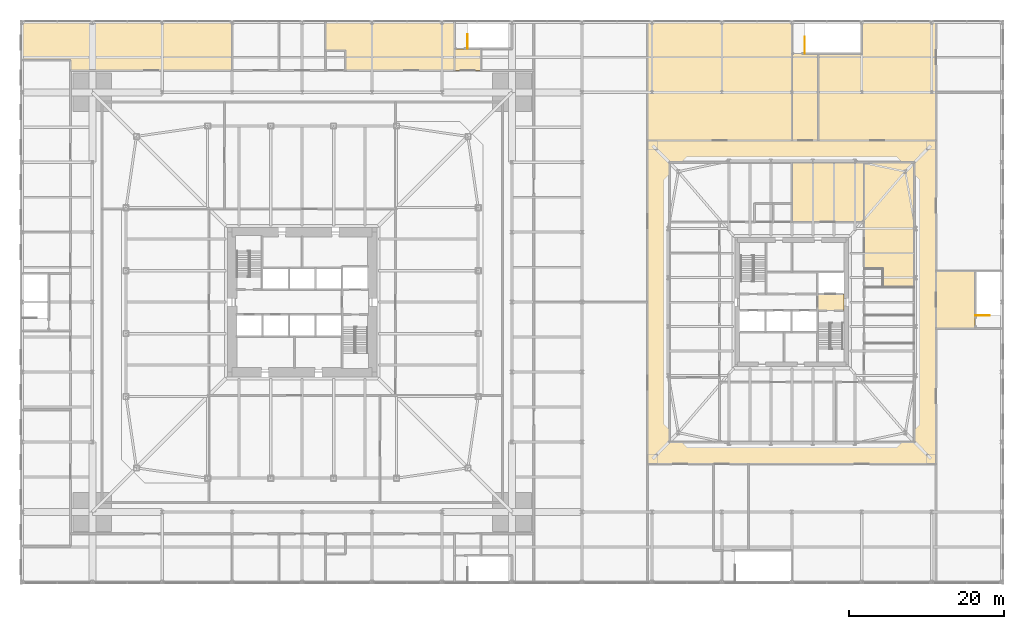
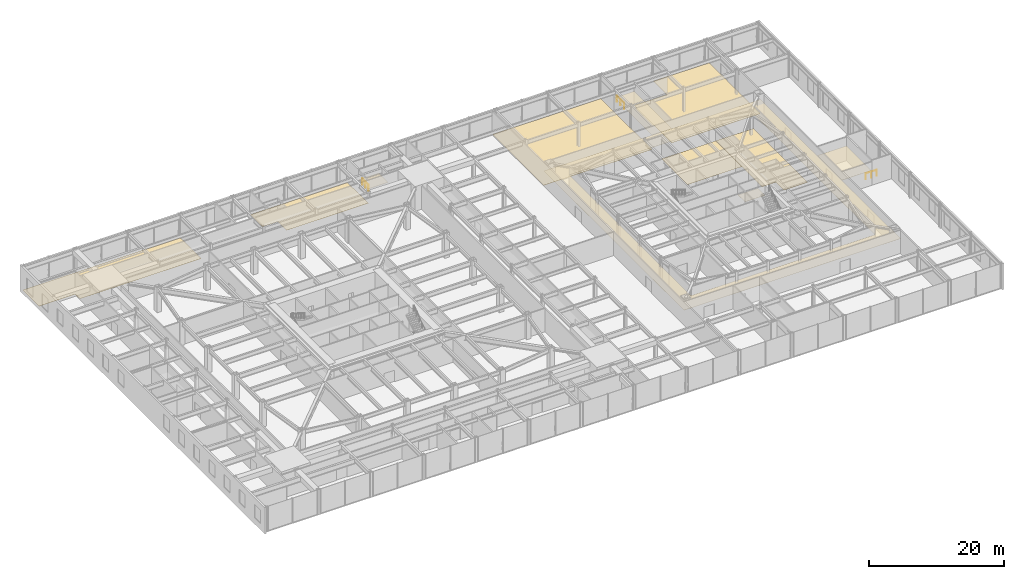
# One storey, part 30 of 30: 11 coverings, 3 railings.
"""IFC4 building model written with IfcOpenShell, lengths in metres."""

from ifc_helpers import new_model, si_unit, direction, frame, origin, origin_2d, place, context, subcontext, project, spatial, polyline, circle, outline, extrude, material, layer, layer_set, constituent, constituent_set, type_object, element, save


model = new_model("IFC4")

# Units and contexts
model_context = context("Model", 3, precision=1e-05, world=origin(), true_north=direction((0.0, 1.0)))
body_context = subcontext(model_context, "Body", "Model", "MODEL_VIEW")
ifc_project = project(units=[si_unit("LENGTHUNIT", "METRE"), si_unit("AREAUNIT", "SQUARE_METRE"), si_unit("VOLUMEUNIT", "CUBIC_METRE"), si_unit("PLANEANGLEUNIT", "RADIAN"), si_unit("MASSUNIT", "GRAM", prefix="KILO")], contexts=[model_context])

# Site, building, storey
site_placement = place(None, origin())
site = spatial("IfcSite", under=ifc_project, at=site_placement, CompositionType="ELEMENT")
building_placement = place(site_placement, origin())
building = spatial("IfcBuilding", under=site, at=building_placement, Name="Iwan Alto Co-Living Towers", CompositionType="ELEMENT")
storey_placement = place(building_placement, frame((0.0, 0.0, 10.5)))
storey = spatial("IfcBuildingStorey", under=building, at=storey_placement, Name="L02", CompositionType="ELEMENT", Elevation=10.5)

# Covering
ifc_material_1 = material(Name="Mineral fibre acoustic tiles on steel grid", Category="steel")
ifc_layer_1 = layer(ifc_material_1, 0.02001953125)
ifc_layer_set_1 = layer_set([ifc_layer_1], Name="ACOUSTIC TILE CEILING 20")
covering_type_1 = type_object("IfcCoveringType", Name="ACOUSTIC TILE CEILING 20", PredefinedType="CEILING", material=ifc_layer_set_1)
covering_1_placement = place(storey_placement, frame((0.0, 0.0, 2.60009765625)))
element("IfcCovering", 1, at=covering_1_placement, inside=storey, type_object=covering_type_1, Name="Ceiling Firefighting lobby L02", PredefinedType="CEILING", context=body_context, shape_type="SweptSolid", body=[
    extrude(outline(polyline([(66.300048828125, -1.050048828125), (66.300048828125, 1.050048828125), (69.699951171875, 1.050048828125), (69.699951171875, -1.050048828125), (66.300048828125, -1.050048828125)])), origin(), (0.0, 0.0, 1.0), 0.02001953125),
])

# Railings
ifc_material_2 = material(Name="Steel ASTM A500 Gr C", Category="steel")
ifc_constituent_1 = constituent(ifc_material_2, Name="Rails and posts", Category="Framing")
ifc_material_3 = material(Name="Steel ASTM A36", Category="steel")
ifc_constituent_2 = constituent(ifc_material_3, Name="Bar infill", Category="Infill")
ifc_constituent_set = constituent_set(constituents=[ifc_constituent_1, ifc_constituent_2], Name="STAIR GUARD 1100")
railing_type = type_object("IfcRailingType", Name="STAIR GUARD 1100", PredefinedType="GUARDRAIL", material=ifc_constituent_set)
railing_1_placement = place(storey_placement, frame((86.60009765625, -1.72998046875, 0.0)))
element("IfcRailing", 2, at=railing_1_placement, inside=storey, type_object=railing_type, Name="Stair PS2 well guard L02", PredefinedType="GUARDRAIL", context=body_context, shape_type="SweptSolid", body=[
    extrude(circle(Radius=0.02392578125, at=origin_2d()), frame((0.0, 0.0, 1.076171875), z_axis=(1.0, 0.0, 0.0), x_axis=(0.0, 1.0, 0.0)), (0.0, 0.0, 1.0), 1.849853515625),
    extrude(circle(Radius=0.02099609375, at=origin_2d()), origin(), (0.0, 0.0, 1.0), 1.052001953125),
    extrude(circle(Radius=0.02099609375, at=origin_2d()), frame((0.9248046875, 0.0, 0.0)), (0.0, 0.0, 1.0), 1.052001953125),
    extrude(circle(Radius=0.02099609375, at=origin_2d()), frame((1.849853515625, 0.0, 0.0)), (0.0, 0.0, 1.0), 1.052001953125),
])
railing_2_placement = place(storey_placement, frame((21.27001953125, 32.60009765625, 0.0)))
element("IfcRailing", 3, at=railing_2_placement, inside=storey, type_object=railing_type, Name="Stair PS3 well guard L02", PredefinedType="GUARDRAIL", context=body_context, shape_type="SweptSolid", body=[
    extrude(circle(Radius=0.02392578125, at=origin_2d()), frame((0.0, 0.0, 1.076171875), z_axis=(0.0, 1.0, 0.0), x_axis=(-1.0, 0.0, 0.0)), (0.0, 0.0, 1.0), 1.849853515625),
    extrude(circle(Radius=0.02099609375, at=origin_2d()), origin(), (0.0, 0.0, 1.0), 1.052001953125),
    extrude(circle(Radius=0.02099609375, at=origin_2d()), frame((0.0, 0.9248046875, 0.0)), (0.0, 0.0, 1.0), 1.052001953125),
    extrude(circle(Radius=0.02099609375, at=origin_2d()), frame((0.0, 1.849853515625, 0.0)), (0.0, 0.0, 1.0), 1.052001953125),
])
railing_3_placement = place(storey_placement, frame((64.669921875, 31.9599609375, 0.0)))
element("IfcRailing", 4, at=railing_3_placement, inside=storey, type_object=railing_type, Name="Stair PS5 well guard L02", PredefinedType="GUARDRAIL", context=body_context, shape_type="SweptSolid", body=[
    extrude(circle(Radius=0.02392578125, at=origin_2d()), frame((0.0, 0.0, 1.076171875), z_axis=(0.0, 1.0, 0.0), x_axis=(-1.0, 0.0, 0.0)), (0.0, 0.0, 1.0), 2.169921875),
    extrude(circle(Radius=0.02099609375, at=origin_2d()), origin(), (0.0, 0.0, 1.0), 1.052001953125),
    extrude(circle(Radius=0.02099609375, at=origin_2d()), frame((0.0, 1.0849609375, 0.0)), (0.0, 0.0, 1.0), 1.052001953125),
    extrude(circle(Radius=0.02099609375, at=origin_2d()), frame((0.0, 2.169921875, 0.0)), (0.0, 0.0, 1.0), 1.052001953125),
])

# Coverings
ifc_material_4 = material(Name="Gypsum plasterboard on steel grid", Category="steel")
ifc_layer_2 = layer(ifc_material_4, 0.014892578125)
ifc_layer_set_2 = layer_set([ifc_layer_2], Name="SUSPENDED PLASTERBOARD CEILING 15")
covering_type_2 = type_object("IfcCoveringType", Name="SUSPENDED PLASTERBOARD CEILING 15", PredefinedType="CEILING", material=ifc_layer_set_2)
covering_2_placement = place(storey_placement, frame((0.0, 0.0, 2.60009765625)))
element("IfcCovering", 5, at=covering_2_placement, inside=storey, type_object=covering_type_2, Name="Ceiling Gallery T2 L02", PredefinedType="CEILING", context=body_context, shape_type="SweptSolid", body=[
    extrude(outline(polyline([(81.550048828125, 20.800048828125), (81.550048828125, -20.800048828125), (44.449951171875, -20.800048828125), (44.449951171875, 20.800048828125), (81.550048828125, 20.800048828125)]), holes=[polyline([(47.25, -18.0), (78.75, -18.0), (78.75, 18.0), (47.25, 18.0), (47.25, -18.0)])]), origin(), (0.0, 0.0, 1.0), 0.014892578125),
])
covering_3_placement = place(storey_placement, frame((0.0, 0.0, 2.60009765625)))
element("IfcCovering", 6, at=covering_3_placement, inside=storey, type_object=covering_type_2, Name="Ceiling Stair lobby L02", PredefinedType="CEILING", context=body_context, shape_type="SweptSolid", body=[
    extrude(outline(polyline([(86.60009765625, 4.0), (86.60009765625, -3.39990234375), (81.550048828125, -3.39990234375), (81.550048828125, 4.0), (86.60009765625, 4.0)])), origin(), (0.0, 0.0, 1.0), 0.014892578125),
])
covering_4_placement = place(storey_placement, frame((0.0, 0.0, 2.60009765625)))
element("IfcCovering", 7, at=covering_4_placement, inside=storey, type_object=covering_type_2, Name="Ceiling Stair lobby L02", PredefinedType="CEILING", context=body_context, shape_type="SweptSolid", body=[
    extrude(outline(polyline([(19.60009765625, 29.800048828125), (19.60009765625, 32.60009765625), (23.0, 32.60009765625), (23.0, 29.800048828125), (19.60009765625, 29.800048828125)])), origin(), (0.0, 0.0, 1.0), 0.014892578125),
])
covering_5_placement = place(storey_placement, frame((0.0, 0.0, 2.60009765625)))
element("IfcCovering", 8, at=covering_5_placement, inside=storey, type_object=covering_type_2, Name="Ceiling Stair lobby L02", PredefinedType="CEILING", context=body_context, shape_type="SweptSolid", body=[
    extrude(outline(polyline([(63.0, 20.800048828125), (63.0, 31.9599609375), (66.39990234375, 31.9599609375), (66.39990234375, 20.800048828125), (63.0, 20.800048828125)])), origin(), (0.0, 0.0, 1.0), 0.014892578125),
])
ifc_material_5 = material(Name="Engineered oak boards")
ifc_layer_3 = layer(ifc_material_5, 0.02001953125)
ifc_layer_set_3 = layer_set([ifc_layer_3], Name="TIMBER FLOOR FINISH 20")
covering_type_3 = type_object("IfcCoveringType", Name="TIMBER FLOOR FINISH 20", PredefinedType="FLOORING", material=ifc_layer_set_3)
covering_6_placement = place(storey_placement, origin())
element("IfcCovering", 9, at=covering_6_placement, inside=storey, type_object=covering_type_3, Name="Floor finish Co-working zone L02", PredefinedType="FLOORING", context=body_context, shape_type="SweptSolid", body=[
    extrude(outline(polyline([(74.699951171875, 1.89990234375), (74.699951171875, 4.300048828125), (72.300048828125, 4.300048828125), (72.300048828125, 18.0), (78.75, 18.0), (78.75, 4.300048828125), (78.75, 1.89990234375), (74.699951171875, 1.89990234375)])), origin(), (0.0, 0.0, 1.0), 0.02001953125),
])
covering_7_placement = place(storey_placement, origin())
element("IfcCovering", 10, at=covering_7_placement, inside=storey, type_object=covering_type_3, Name="Floor finish Co-working zone L02", PredefinedType="FLOORING", context=body_context, shape_type="SweptSolid", body=[
    extrude(outline(polyline([(63.0, 10.300048828125), (63.0, 18.0), (72.300048828125, 18.0), (72.300048828125, 10.300048828125), (63.0, 10.300048828125)])), origin(), (0.0, 0.0, 1.0), 0.02001953125),
])
covering_8_placement = place(storey_placement, origin())
element("IfcCovering", 11, at=covering_8_placement, inside=storey, type_object=covering_type_3, Name="Floor finish Seminar room L02", PredefinedType="FLOORING", context=body_context, shape_type="SweptSolid", body=[
    extrude(outline(polyline([(-29.800048828125, 29.800048828125), (-29.800048828125, 31.14990234375), (-36.0, 31.14990234375), (-36.0, 36.0), (-9.0, 36.0), (-9.0, 29.800048828125), (-29.800048828125, 29.800048828125)])), origin(), (0.0, 0.0, 1.0), 0.02001953125),
])
covering_9_placement = place(storey_placement, origin())
element("IfcCovering", 12, at=covering_9_placement, inside=storey, type_object=covering_type_3, Name="Floor finish Media room L02", PredefinedType="FLOORING", context=body_context, shape_type="SweptSolid", body=[
    extrude(outline(polyline([(3.0, 32.39990234375), (3.0, 36.0), (5.60009765625, 36.0), (19.60009765625, 36.0), (19.60009765625, 32.60009765625), (19.60009765625, 29.800048828125), (5.60009765625, 29.800048828125), (5.60009765625, 32.39990234375), (3.0, 32.39990234375)])), origin(), (0.0, 0.0, 1.0), 0.02001953125),
])
covering_10_placement = place(storey_placement, origin())
element("IfcCovering", 13, at=covering_10_placement, inside=storey, type_object=covering_type_3, Name="Floor finish Residents' dining room L02", PredefinedType="FLOORING", context=body_context, shape_type="SweptSolid", body=[
    extrude(outline(polyline([(63.0, 36.0), (63.0, 20.800048828125), (44.449951171875, 20.800048828125), (44.449951171875, 36.0), (63.0, 36.0)])), origin(), (0.0, 0.0, 1.0), 0.02001953125),
])
covering_11_placement = place(storey_placement, origin())
element("IfcCovering", 14, at=covering_11_placement, inside=storey, type_object=covering_type_3, Name="Floor finish Gym L02", PredefinedType="FLOORING", context=body_context, shape_type="SweptSolid", body=[
    extrude(outline(polyline([(81.550048828125, 20.800048828125), (66.39990234375, 20.800048828125), (66.39990234375, 31.9599609375), (72.0, 31.9599609375), (72.0, 36.0), (81.550048828125, 36.0), (81.550048828125, 20.800048828125)])), origin(), (0.0, 0.0, 1.0), 0.02001953125),
])

save(model, "model.ifc")
